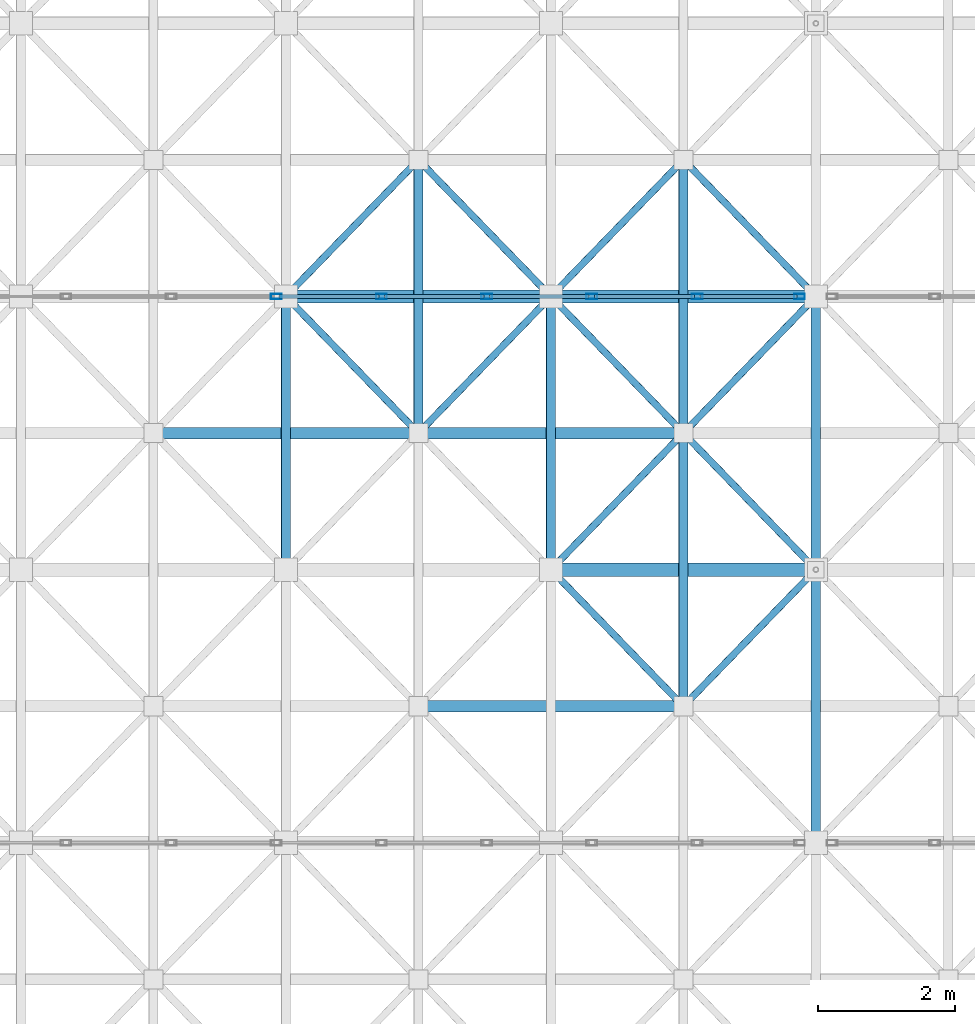
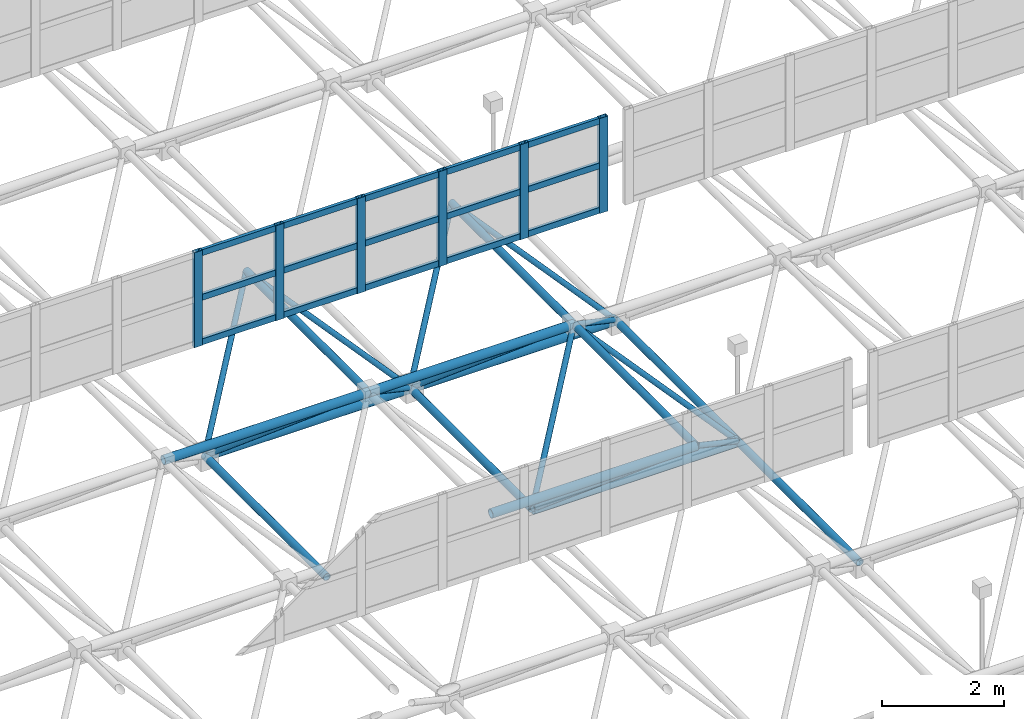
# One storey, part 54 of 195: 46 members, 1 element without a shape of its own.
"""IFC4 building model written with IfcOpenShell, lengths in metres."""

from ifc_helpers import new_model, si_unit, direction, frame, origin, origin_2d, place, context, subcontext, project, spatial, hollow_rectangle, hollow_circle, extrude, material, material_profile, profile_set, type_object, element, aggregate, save


model = new_model("IFC4")

# Units and contexts
model_context = context("Model", 3, precision=1e-05, world=origin(), true_north=direction((0.0, 1.0)))
body_context = subcontext(model_context, "Body", "Model", "MODEL_VIEW")
ifc_project = project(units=[si_unit("LENGTHUNIT", "METRE"), si_unit("AREAUNIT", "SQUARE_METRE"), si_unit("VOLUMEUNIT", "CUBIC_METRE"), si_unit("PLANEANGLEUNIT", "RADIAN"), si_unit("MASSUNIT", "GRAM", prefix="KILO")], contexts=[model_context])

# Site, building, storey
site_placement = place(None, origin())
site = spatial("IfcSite", under=ifc_project, at=site_placement, CompositionType="ELEMENT")
building_placement = place(site_placement, origin())
building = spatial("IfcBuilding", under=site, at=building_placement, Name="Kharva Crest Polytechnic", CompositionType="ELEMENT")
storey_placement = place(building_placement, frame((0.0, 0.0, 9.0)))
storey = spatial("IfcBuildingStorey", under=building, at=storey_placement, Name="L02", CompositionType="ELEMENT", Elevation=9.0)

# Curtain wall, members
ifc_material_1 = material(Name="Tempered insulated glass", Category="glass")
curtain_wall_type = type_object("IfcCurtainWallType", Name="CW-SYS-NORTHLIGHT", PredefinedType="USERDEFINED", material=ifc_material_1)
curtain_wall_placement = place(storey_placement, origin())
curtain_wall = element("IfcCurtainWall", 1, at=curtain_wall_placement, inside=storey, type_object=curtain_wall_type, Name="L02 Glazed Curtain Wall CW-191", ObjectType="CURTAIN WALL", PredefinedType="USERDEFINED")
ifc_material_2 = material(Name="Steel S355", Category="steel")
ifc_material_profile_1 = material_profile(ifc_material_2, hollow_rectangle(XDim=0.080078125, YDim=0.159912109375, WallThickness=0.0048828125, at=origin_2d()), Name="RHS 160X80X5.0")
ifc_profile_set_1 = profile_set([ifc_material_profile_1], Name="Steel S355")
member_type_1 = type_object("IfcMemberType", Name="CWM-RHS160X80", PredefinedType="MULLION", material=ifc_profile_set_1)
member_1_placement = place(storey_placement, frame((8.10009765625, 54.800048828125, 2.85009765625), z_axis=(0.0, 0.0, 1.0), x_axis=(0.0, 1.0, 0.0)))
member_1 = element("IfcMember", 2, at=member_1_placement, type_object=member_type_1, Name="CW-191 mullion 6", PredefinedType="MULLION", context=body_context, shape_type="SweptSolid", body=[
    extrude(hollow_rectangle(XDim=0.080078125, YDim=0.159912109375, WallThickness=0.0048828125, at=origin_2d()), origin(), (0.0, 0.0, 1.0), 1.89990234375),
])
member_2_placement = place(storey_placement, frame((9.639892578125, 54.800048828125, 2.85009765625), z_axis=(0.0, 0.0, 1.0), x_axis=(0.0, 1.0, 0.0)))
member_2 = element("IfcMember", 3, at=member_2_placement, type_object=member_type_1, Name="CW-191 mullion 7", PredefinedType="MULLION", context=body_context, shape_type="SweptSolid", body=[
    extrude(hollow_rectangle(XDim=0.080078125, YDim=0.159912109375, WallThickness=0.0048828125, at=origin_2d()), origin(), (0.0, 0.0, 1.0), 1.89990234375),
])
member_3_placement = place(storey_placement, frame((11.179931640625, 54.800048828125, 2.85009765625), z_axis=(0.0, 0.0, 1.0), x_axis=(0.0, 1.0, 0.0)))
member_3 = element("IfcMember", 4, at=member_3_placement, type_object=member_type_1, Name="CW-191 mullion 8", PredefinedType="MULLION", context=body_context, shape_type="SweptSolid", body=[
    extrude(hollow_rectangle(XDim=0.080078125, YDim=0.159912109375, WallThickness=0.0048828125, at=origin_2d()), origin(), (0.0, 0.0, 1.0), 1.89990234375),
])
member_4_placement = place(storey_placement, frame((12.719970703125, 54.800048828125, 2.85009765625), z_axis=(0.0, 0.0, 1.0), x_axis=(0.0, 1.0, 0.0)))
member_4 = element("IfcMember", 5, at=member_4_placement, type_object=member_type_1, Name="CW-191 mullion 9", PredefinedType="MULLION", context=body_context, shape_type="SweptSolid", body=[
    extrude(hollow_rectangle(XDim=0.080078125, YDim=0.159912109375, WallThickness=0.0048828125, at=origin_2d()), origin(), (0.0, 0.0, 1.0), 1.89990234375),
])
member_5_placement = place(storey_placement, frame((14.260009765625, 54.800048828125, 2.85009765625), z_axis=(0.0, 0.0, 1.0), x_axis=(0.0, 1.0, 0.0)))
member_5 = element("IfcMember", 6, at=member_5_placement, type_object=member_type_1, Name="CW-191 mullion 10", PredefinedType="MULLION", context=body_context, shape_type="SweptSolid", body=[
    extrude(hollow_rectangle(XDim=0.080078125, YDim=0.159912109375, WallThickness=0.0048828125, at=origin_2d()), origin(), (0.0, 0.0, 1.0), 1.89990234375),
])
member_6_placement = place(storey_placement, frame((15.760009765625, 54.800048828125, 2.85009765625), z_axis=(0.0, 0.0, 1.0), x_axis=(0.0, 1.0, 0.0)))
member_6 = element("IfcMember", 7, at=member_6_placement, type_object=member_type_1, Name="CW-191 mullion 11", PredefinedType="MULLION", context=body_context, shape_type="SweptSolid", body=[
    extrude(hollow_rectangle(XDim=0.080078125, YDim=0.159912109375, WallThickness=0.0048828125, at=origin_2d()), origin(), (0.0, 0.0, 1.0), 1.89990234375),
])
ifc_material_profile_2 = material_profile(ifc_material_2, hollow_rectangle(XDim=0.06005859375, YDim=0.1201171875, WallThickness=0.00390625, at=origin_2d()), Name="RHS 120X60X4.0")
ifc_profile_set_2 = profile_set([ifc_material_profile_2], Name="Steel S355")
member_type_2 = type_object("IfcMemberType", Name="CWT-RHS120X60", PredefinedType="USERDEFINED", material=ifc_profile_set_2)
member_7_placement = place(storey_placement, frame((8.139892578125, 54.800048828125, 2.909912109375), z_axis=(1.0, 0.0, 0.0), x_axis=(0.0, 1.0, 0.0)))
member_7 = element("IfcMember", 8, at=member_7_placement, type_object=member_type_2, Name="CW-191 transom 6.1", ObjectType="TRANSOM", PredefinedType="USERDEFINED", context=body_context, shape_type="SweptSolid", body=[
    extrude(hollow_rectangle(XDim=0.06005859375, YDim=0.1201171875, WallThickness=0.00390625, at=origin_2d()), origin(), (0.0, 0.0, 1.0), 1.460205078125),
])
member_8_placement = place(storey_placement, frame((8.139892578125, 54.800048828125, 3.800048828125), z_axis=(1.0, 0.0, 0.0), x_axis=(0.0, 1.0, 0.0)))
member_8 = element("IfcMember", 9, at=member_8_placement, type_object=member_type_2, Name="CW-191 transom 6.2", ObjectType="TRANSOM", PredefinedType="USERDEFINED", context=body_context, shape_type="SweptSolid", body=[
    extrude(hollow_rectangle(XDim=0.06005859375, YDim=0.1201171875, WallThickness=0.00390625, at=origin_2d()), origin(), (0.0, 0.0, 1.0), 1.460205078125),
])
member_9_placement = place(storey_placement, frame((8.139892578125, 54.800048828125, 4.68994140625), z_axis=(1.0, 0.0, 0.0), x_axis=(0.0, 1.0, 0.0)))
member_9 = element("IfcMember", 10, at=member_9_placement, type_object=member_type_2, Name="CW-191 transom 6.3", ObjectType="TRANSOM", PredefinedType="USERDEFINED", context=body_context, shape_type="SweptSolid", body=[
    extrude(hollow_rectangle(XDim=0.06005859375, YDim=0.1201171875, WallThickness=0.00390625, at=origin_2d()), origin(), (0.0, 0.0, 1.0), 1.460205078125),
])
member_10_placement = place(storey_placement, frame((9.679931640625, 54.800048828125, 2.909912109375), z_axis=(1.0, 0.0, 0.0), x_axis=(0.0, 1.0, 0.0)))
member_10 = element("IfcMember", 11, at=member_10_placement, type_object=member_type_2, Name="CW-191 transom 7.1", ObjectType="TRANSOM", PredefinedType="USERDEFINED", context=body_context, shape_type="SweptSolid", body=[
    extrude(hollow_rectangle(XDim=0.06005859375, YDim=0.1201171875, WallThickness=0.00390625, at=origin_2d()), origin(), (0.0, 0.0, 1.0), 1.4599609375),
])
member_11_placement = place(storey_placement, frame((9.679931640625, 54.800048828125, 3.800048828125), z_axis=(1.0, 0.0, 0.0), x_axis=(0.0, 1.0, 0.0)))
member_11 = element("IfcMember", 12, at=member_11_placement, type_object=member_type_2, Name="CW-191 transom 7.2", ObjectType="TRANSOM", PredefinedType="USERDEFINED", context=body_context, shape_type="SweptSolid", body=[
    extrude(hollow_rectangle(XDim=0.06005859375, YDim=0.1201171875, WallThickness=0.00390625, at=origin_2d()), origin(), (0.0, 0.0, 1.0), 1.4599609375),
])
member_12_placement = place(storey_placement, frame((9.679931640625, 54.800048828125, 4.68994140625), z_axis=(1.0, 0.0, 0.0), x_axis=(0.0, 1.0, 0.0)))
member_12 = element("IfcMember", 13, at=member_12_placement, type_object=member_type_2, Name="CW-191 transom 7.3", ObjectType="TRANSOM", PredefinedType="USERDEFINED", context=body_context, shape_type="SweptSolid", body=[
    extrude(hollow_rectangle(XDim=0.06005859375, YDim=0.1201171875, WallThickness=0.00390625, at=origin_2d()), origin(), (0.0, 0.0, 1.0), 1.4599609375),
])
member_13_placement = place(storey_placement, frame((11.219970703125, 54.800048828125, 2.909912109375), z_axis=(1.0, 0.0, 0.0), x_axis=(0.0, 1.0, 0.0)))
member_13 = element("IfcMember", 14, at=member_13_placement, type_object=member_type_2, Name="CW-191 transom 8.1", ObjectType="TRANSOM", PredefinedType="USERDEFINED", context=body_context, shape_type="SweptSolid", body=[
    extrude(hollow_rectangle(XDim=0.06005859375, YDim=0.1201171875, WallThickness=0.00390625, at=origin_2d()), origin(), (0.0, 0.0, 1.0), 1.4599609375),
])
member_14_placement = place(storey_placement, frame((11.219970703125, 54.800048828125, 3.800048828125), z_axis=(1.0, 0.0, 0.0), x_axis=(0.0, 1.0, 0.0)))
member_14 = element("IfcMember", 15, at=member_14_placement, type_object=member_type_2, Name="CW-191 transom 8.2", ObjectType="TRANSOM", PredefinedType="USERDEFINED", context=body_context, shape_type="SweptSolid", body=[
    extrude(hollow_rectangle(XDim=0.06005859375, YDim=0.1201171875, WallThickness=0.00390625, at=origin_2d()), origin(), (0.0, 0.0, 1.0), 1.4599609375),
])
member_15_placement = place(storey_placement, frame((11.219970703125, 54.800048828125, 4.68994140625), z_axis=(1.0, 0.0, 0.0), x_axis=(0.0, 1.0, 0.0)))
member_15 = element("IfcMember", 16, at=member_15_placement, type_object=member_type_2, Name="CW-191 transom 8.3", ObjectType="TRANSOM", PredefinedType="USERDEFINED", context=body_context, shape_type="SweptSolid", body=[
    extrude(hollow_rectangle(XDim=0.06005859375, YDim=0.1201171875, WallThickness=0.00390625, at=origin_2d()), origin(), (0.0, 0.0, 1.0), 1.4599609375),
])
member_16_placement = place(storey_placement, frame((12.760009765625, 54.800048828125, 2.909912109375), z_axis=(1.0, 0.0, 0.0), x_axis=(0.0, 1.0, 0.0)))
member_16 = element("IfcMember", 17, at=member_16_placement, type_object=member_type_2, Name="CW-191 transom 9.1", ObjectType="TRANSOM", PredefinedType="USERDEFINED", context=body_context, shape_type="SweptSolid", body=[
    extrude(hollow_rectangle(XDim=0.06005859375, YDim=0.1201171875, WallThickness=0.00390625, at=origin_2d()), origin(), (0.0, 0.0, 1.0), 1.4599609375),
])
member_17_placement = place(storey_placement, frame((12.760009765625, 54.800048828125, 3.800048828125), z_axis=(1.0, 0.0, 0.0), x_axis=(0.0, 1.0, 0.0)))
member_17 = element("IfcMember", 18, at=member_17_placement, type_object=member_type_2, Name="CW-191 transom 9.2", ObjectType="TRANSOM", PredefinedType="USERDEFINED", context=body_context, shape_type="SweptSolid", body=[
    extrude(hollow_rectangle(XDim=0.06005859375, YDim=0.1201171875, WallThickness=0.00390625, at=origin_2d()), origin(), (0.0, 0.0, 1.0), 1.4599609375),
])
member_18_placement = place(storey_placement, frame((12.760009765625, 54.800048828125, 4.68994140625), z_axis=(1.0, 0.0, 0.0), x_axis=(0.0, 1.0, 0.0)))
member_18 = element("IfcMember", 19, at=member_18_placement, type_object=member_type_2, Name="CW-191 transom 9.3", ObjectType="TRANSOM", PredefinedType="USERDEFINED", context=body_context, shape_type="SweptSolid", body=[
    extrude(hollow_rectangle(XDim=0.06005859375, YDim=0.1201171875, WallThickness=0.00390625, at=origin_2d()), origin(), (0.0, 0.0, 1.0), 1.4599609375),
])
member_19_placement = place(storey_placement, frame((14.300048828125, 54.800048828125, 2.909912109375), z_axis=(1.0, 0.0, 0.0), x_axis=(0.0, 1.0, 0.0)))
member_19 = element("IfcMember", 20, at=member_19_placement, type_object=member_type_2, Name="CW-191 transom 10.1", ObjectType="TRANSOM", PredefinedType="USERDEFINED", context=body_context, shape_type="SweptSolid", body=[
    extrude(hollow_rectangle(XDim=0.06005859375, YDim=0.1201171875, WallThickness=0.00390625, at=origin_2d()), origin(), (0.0, 0.0, 1.0), 1.419921875),
])
member_20_placement = place(storey_placement, frame((14.300048828125, 54.800048828125, 3.800048828125), z_axis=(1.0, 0.0, 0.0), x_axis=(0.0, 1.0, 0.0)))
member_20 = element("IfcMember", 21, at=member_20_placement, type_object=member_type_2, Name="CW-191 transom 10.2", ObjectType="TRANSOM", PredefinedType="USERDEFINED", context=body_context, shape_type="SweptSolid", body=[
    extrude(hollow_rectangle(XDim=0.06005859375, YDim=0.1201171875, WallThickness=0.00390625, at=origin_2d()), origin(), (0.0, 0.0, 1.0), 1.419921875),
])
member_21_placement = place(storey_placement, frame((14.300048828125, 54.800048828125, 4.68994140625), z_axis=(1.0, 0.0, 0.0), x_axis=(0.0, 1.0, 0.0)))
member_21 = element("IfcMember", 22, at=member_21_placement, type_object=member_type_2, Name="CW-191 transom 10.3", ObjectType="TRANSOM", PredefinedType="USERDEFINED", context=body_context, shape_type="SweptSolid", body=[
    extrude(hollow_rectangle(XDim=0.06005859375, YDim=0.1201171875, WallThickness=0.00390625, at=origin_2d()), origin(), (0.0, 0.0, 1.0), 1.419921875),
])
aggregate(curtain_wall, [member_1, member_2, member_3, member_4, member_5, member_6, member_7, member_8, member_9, member_10, member_11, member_12, member_13, member_14, member_15, member_16, member_17, member_18, member_19, member_20, member_21])

# Members
ifc_material_profile_3 = material_profile(ifc_material_2, hollow_circle(Radius=0.05078125, WallThickness=0.0048828125, at=origin_2d()), Name="CHS 101.6X5.0")
ifc_profile_set_3 = profile_set([ifc_material_profile_3], Name="Steel S355")
member_type_3 = type_object("IfcMemberType", Name="MEM-CHS101", PredefinedType="BRACE", material=ifc_profile_set_3)
for number, where, z_axis, x_axis, name in (
    (23, (8.239990234375, 54.800048828125, 0.60009765625), (0.584843378742, -0.602949529154, 0.542595694449), (0.717802189577, 0.696247094528, 0.0), "Space Frame Web Diagonal 575"),
    (24, (12.1201171875, 54.800048828125, 0.60009765625), (-0.584891802813, -0.602923574763, 0.542572338032), (0.717758400015, -0.696292236929, 0.0), "Space Frame Web Diagonal 576"),
    (25, (8.239990234375, 54.800048828125, 0.60009765625), (0.584843378742, 0.602949529154, 0.542595694449), (-0.717802189577, 0.696247094528, 0.0), "Space Frame Web Diagonal 577"),
    (26, (12.1201171875, 54.800048828125, 0.60009765625), (-0.584891802813, 0.602923574763, 0.542572338032), (-0.717758400015, -0.696292236929, 0.0), "Space Frame Web Diagonal 578"),
    (27, (12.1201171875, 50.800048828125, 0.60009765625), (0.584843378742, -0.602949529154, 0.542595694449), (0.717802189577, 0.696247094528, 0.0), "Space Frame Web Diagonal 627"),
    (28, (16.0, 50.800048828125, 0.60009765625), (-0.584843378742, -0.602949529154, 0.542595694449), (0.717802189577, -0.696247094528, 0.0), "Space Frame Web Diagonal 628"),
    (29, (12.1201171875, 50.800048828125, 0.60009765625), (0.584843378742, 0.602949529154, 0.542595694449), (-0.717802189577, 0.696247094528, 0.0), "Space Frame Web Diagonal 629"),
    (30, (16.0, 50.800048828125, 0.60009765625), (-0.584843378742, 0.602949529154, 0.542595694449), (-0.717802189577, -0.696247094528, 0.0), "Space Frame Web Diagonal 630"),
    (31, (12.1201171875, 54.800048828125, 0.60009765625), (0.584843378742, -0.602949529154, 0.542595694449), (0.717802189577, 0.696247094528, 0.0), "Space Frame Web Diagonal 631"),
    (32, (16.0, 54.800048828125, 0.60009765625), (-0.584843378742, -0.602949529154, 0.542595694449), (0.717802189577, -0.696247094528, 0.0), "Space Frame Web Diagonal 632"),
    (33, (12.1201171875, 54.800048828125, 0.60009765625), (0.584843378742, 0.602949529154, 0.542595694449), (-0.717802189577, 0.696247094528, 0.0), "Space Frame Web Diagonal 633"),
    (34, (16.0, 54.800048828125, 0.60009765625), (-0.584843378742, 0.602949529154, 0.542595694449), (-0.717802189577, -0.696247094528, 0.0), "Space Frame Web Diagonal 634"),
):
    element("IfcMember", number, at=place(storey_placement, frame(where, z_axis=z_axis, x_axis=x_axis)), inside=storey, type_object=member_type_3, Name=name, PredefinedType="BRACE", context=body_context, shape_type="SweptSolid", body=[
        extrude(hollow_circle(Radius=0.05078125, WallThickness=0.0048828125, at=origin_2d()), origin(), (0.0, 0.0, 1.0), 3.317138671875),
    ])
ifc_material_profile_4 = material_profile(ifc_material_2, hollow_circle(Radius=0.06982421875, WallThickness=0.00634765625, at=origin_2d()), Name="CHS 139.7X6.3")
ifc_profile_set_4 = profile_set([ifc_material_profile_4], Name="Steel S355")
member_type_4 = type_object("IfcMemberType", Name="MEM-CHS139", PredefinedType="CHORD", material=ifc_profile_set_4)
for number, where, z_axis, x_axis, name in (
    (35, (8.239990234375, 50.800048828125, 0.60009765625), (0.0, 1.0, 0.0), (-1.0, 0.0, 0.0), "Space Frame Bottom Chord Y 152"),
    (36, (12.1201171875, 50.800048828125, 0.60009765625), (0.0, 1.0, 0.0), (-1.0, 0.0, 0.0), "Space Frame Bottom Chord Y 166"),
    (37, (16.0, 46.800048828125, 0.60009765625), (0.0, 1.0, 0.0), (-1.0, 0.0, 0.0), "Space Frame Bottom Chord Y 179"),
    (38, (16.0, 50.800048828125, 0.60009765625), (0.0, 1.0, 0.0), (-1.0, 0.0, 0.0), "Space Frame Bottom Chord Y 180"),
    (39, (10.179931640625, 52.800048828125, 2.39990234375), (0.0, 1.0, 0.0), (-1.0, 0.0, 0.0), "Space Frame Top Chord Y 374"),
    (40, (14.06005859375, 48.800048828125, 2.39990234375), (0.0, 1.0, 0.0), (-1.0, 0.0, 0.0), "Space Frame Top Chord Y 386"),
    (41, (14.06005859375, 52.800048828125, 2.39990234375), (0.0, 1.0, 0.0), (-1.0, 0.0, 0.0), "Space Frame Top Chord Y 387"),
):
    element("IfcMember", number, at=place(storey_placement, frame(where, z_axis=z_axis, x_axis=x_axis)), inside=storey, type_object=member_type_4, Name=name, PredefinedType="CHORD", context=body_context, shape_type="SweptSolid", body=[
        extrude(hollow_circle(Radius=0.06982421875, WallThickness=0.00634765625, at=origin_2d()), origin(), (0.0, 0.0, 1.0), 4.0),
    ])
ifc_material_profile_5 = material_profile(ifc_material_2, hollow_circle(Radius=0.084228515625, WallThickness=0.008056640625, at=origin_2d()), Name="CHS 168.3X8.0")
ifc_profile_set_5 = profile_set([ifc_material_profile_5], Name="Steel S355")
member_type_5 = type_object("IfcMemberType", Name="MEM-CHS168", PredefinedType="CHORD", material=ifc_profile_set_5)
member_22_placement = place(storey_placement, frame((10.179931640625, 48.800048828125, 2.39990234375), z_axis=(1.0, 0.0, 0.0), x_axis=(0.0, 1.0, 0.0)))
element("IfcMember", 42, at=member_22_placement, inside=storey, type_object=member_type_5, Name="Space Frame Top Chord X 263", PredefinedType="CHORD", context=body_context, shape_type="SweptSolid", body=[
    extrude(hollow_circle(Radius=0.084228515625, WallThickness=0.008056640625, at=origin_2d()), origin(), (0.0, 0.0, 1.0), 3.880126953125),
])
member_23_placement = place(storey_placement, frame((6.300048828125, 52.800048828125, 2.39990234375), z_axis=(1.0, 0.0, 0.0), x_axis=(0.0, 1.0, 0.0)))
element("IfcMember", 43, at=member_23_placement, inside=storey, type_object=member_type_5, Name="Space Frame Top Chord X 269", PredefinedType="CHORD", context=body_context, shape_type="SweptSolid", body=[
    extrude(hollow_circle(Radius=0.084228515625, WallThickness=0.008056640625, at=origin_2d()), origin(), (0.0, 0.0, 1.0), 3.8798828125),
])
member_24_placement = place(storey_placement, frame((10.179931640625, 52.800048828125, 2.39990234375), z_axis=(1.0, 0.0, 0.0), x_axis=(0.0, 1.0, 0.0)))
element("IfcMember", 44, at=member_24_placement, inside=storey, type_object=member_type_5, Name="Space Frame Top Chord X 270", PredefinedType="CHORD", context=body_context, shape_type="SweptSolid", body=[
    extrude(hollow_circle(Radius=0.084228515625, WallThickness=0.008056640625, at=origin_2d()), origin(), (0.0, 0.0, 1.0), 3.880126953125),
])
ifc_material_profile_6 = material_profile(ifc_material_2, hollow_circle(Radius=0.096923828125, WallThickness=0.008056640625, at=origin_2d()), Name="CHS 193.7X8.0")
ifc_profile_set_6 = profile_set([ifc_material_profile_6], Name="Steel S355")
member_type_6 = type_object("IfcMemberType", Name="MEM-CHS193", PredefinedType="CHORD", material=ifc_profile_set_6)
member_25_placement = place(storey_placement, frame((12.1201171875, 50.800048828125, 0.60009765625), z_axis=(1.0, 0.0, 0.0), x_axis=(0.0, 1.0, 0.0)))
element("IfcMember", 45, at=member_25_placement, inside=storey, type_object=member_type_6, Name="Space Frame Bottom Chord X 28", PredefinedType="CHORD", context=body_context, shape_type="SweptSolid", body=[
    extrude(hollow_circle(Radius=0.096923828125, WallThickness=0.008056640625, at=origin_2d()), origin(), (0.0, 0.0, 1.0), 3.8798828125),
])
member_26_placement = place(storey_placement, frame((8.239990234375, 54.800048828125, 0.60009765625), z_axis=(1.0, 0.0, 0.0), x_axis=(0.0, 1.0, 0.0)))
element("IfcMember", 46, at=member_26_placement, inside=storey, type_object=member_type_6, Name="Space Frame Bottom Chord X 35", PredefinedType="CHORD", context=body_context, shape_type="SweptSolid", body=[
    extrude(hollow_circle(Radius=0.096923828125, WallThickness=0.008056640625, at=origin_2d()), origin(), (0.0, 0.0, 1.0), 3.880126953125),
])
member_27_placement = place(storey_placement, frame((12.1201171875, 54.800048828125, 0.60009765625), z_axis=(1.0, 0.0, 0.0), x_axis=(0.0, 1.0, 0.0)))
element("IfcMember", 47, at=member_27_placement, inside=storey, type_object=member_type_6, Name="Space Frame Bottom Chord X 36", PredefinedType="CHORD", context=body_context, shape_type="SweptSolid", body=[
    extrude(hollow_circle(Radius=0.096923828125, WallThickness=0.008056640625, at=origin_2d()), origin(), (0.0, 0.0, 1.0), 3.8798828125),
])

save(model, "model.ifc")
